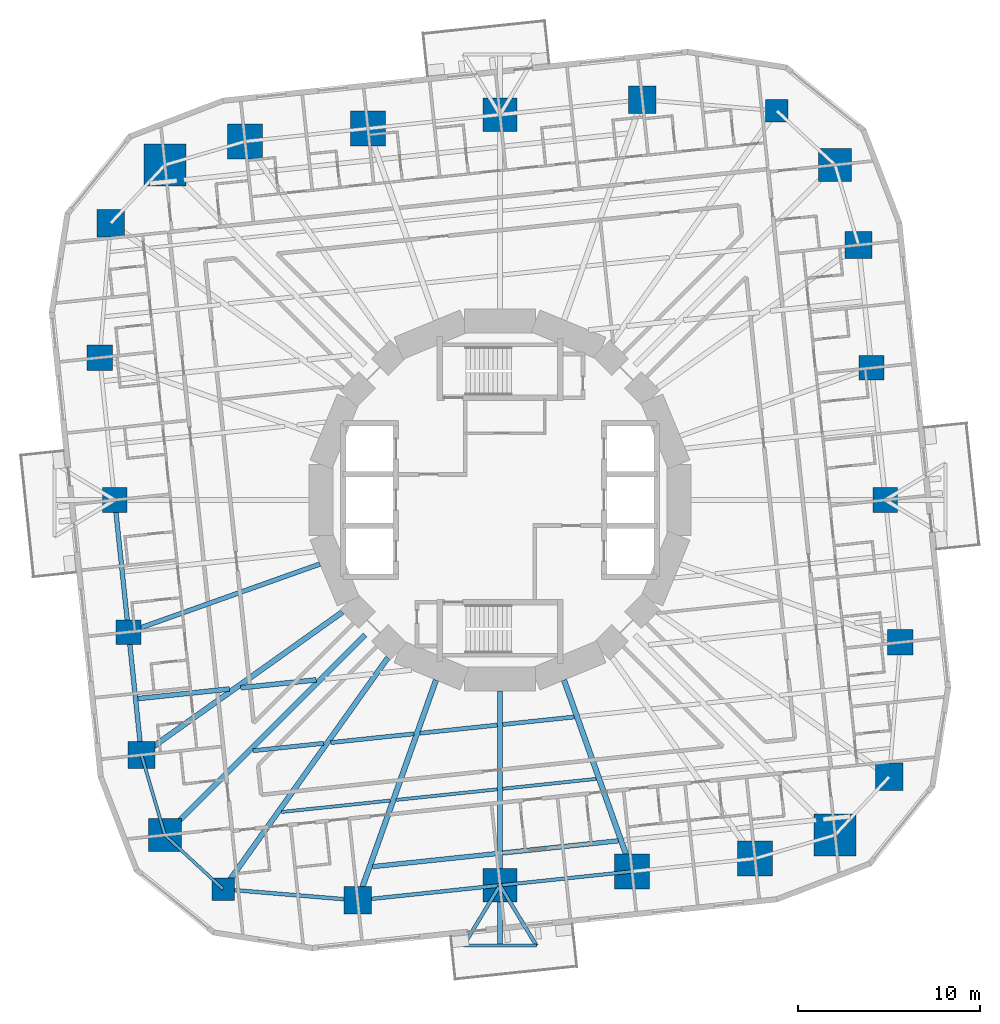
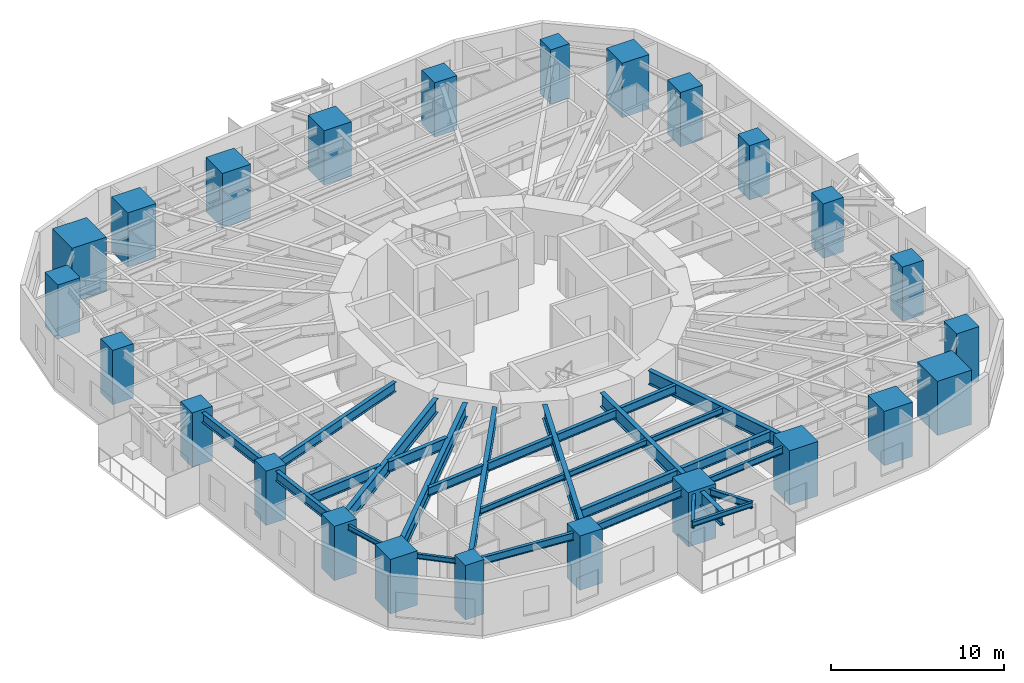
# One storey, part 1 of 15: 28 beams, 24 columns.
"""IFC4 building model written with IfcOpenShell, lengths in metres."""

from ifc_helpers import new_model, si_unit, direction, frame, origin, origin_2d, place, context, subcontext, project, spatial, rectangle, i_section, extrude, material, material_profile, profile_set, type_object, element, save


model = new_model("IFC4")

# Units and contexts
model_context = context("Model", 3, precision=1e-05, world=origin(), true_north=direction((0.0, 1.0)))
body_context = subcontext(model_context, "Body", "Model", "MODEL_VIEW")
ifc_project = project(units=[si_unit("LENGTHUNIT", "METRE"), si_unit("AREAUNIT", "SQUARE_METRE"), si_unit("VOLUMEUNIT", "CUBIC_METRE"), si_unit("PLANEANGLEUNIT", "RADIAN"), si_unit("MASSUNIT", "GRAM", prefix="KILO")], contexts=[model_context])

# Site, building, storey
site_placement = place(None, origin())
site = spatial("IfcSite", under=ifc_project, at=site_placement, CompositionType="ELEMENT")
building_placement = place(site_placement, origin())
building = spatial("IfcBuilding", under=site, at=building_placement, Name="Nakasero Lantern House", CompositionType="ELEMENT")
storey_placement = place(building_placement, frame((0.0, 0.0, 68.199951171875)))
storey = spatial("IfcBuildingStorey", under=building, at=storey_placement, Name="L16", CompositionType="ELEMENT", Elevation=68.199951171875)

# Columns
ifc_material_1 = material(Name="Concrete C50/60", Category="concrete")
ifc_material_profile_1 = material_profile(ifc_material_1, rectangle(XDim=1.800048828125, YDim=1.800048828125, at=origin_2d()), Name="RC 1800x1800")
ifc_profile_set_1 = profile_set([ifc_material_profile_1], Name="Concrete C50/60")
column_type_1 = type_object("IfcColumnType", Name="Mega column RC 1800x1800 C50/60", PredefinedType="COLUMN", material=ifc_profile_set_1)
for number, where, z_axis, x_axis, name in (
    (1, (18.359375, 18.359375, 0.0), (0.0, 0.0, 1.0), (1.0, 0.0, 0.0), "Column B2-C06 L16"),
    (2, (-18.359375, -18.359375, 0.0), (0.0, 0.0, 1.0), (1.0, 0.0, 0.0), "Column B2-C18 L16"),
):
    element("IfcColumn", number, at=place(storey_placement, frame(where, z_axis=z_axis, x_axis=x_axis)), inside=storey, type_object=column_type_1, Name=name, PredefinedType="COLUMN", context=body_context, shape_type="SweptSolid", body=[
        extrude(rectangle(XDim=1.800048828125, YDim=1.800048828125, at=origin_2d()), origin(), (0.0, 0.0, 1.0), 3.85009765625),
    ])
ifc_material_2 = material(Name="Concrete C50/60", Category="concrete")
ifc_material_profile_2 = material_profile(ifc_material_2, rectangle(XDim=2.300048828125, YDim=2.300048828125, at=origin_2d()), Name="RC 2300x2300")
ifc_profile_set_2 = profile_set([ifc_material_profile_2], Name="Concrete C50/60")
column_type_2 = type_object("IfcColumnType", Name="Mega column RC 2300x2300 C50/60", PredefinedType="COLUMN", material=ifc_profile_set_2)
for number, where, z_axis, x_axis, name in (
    (3, (-18.359375, 18.359375, 0.0), (0.0, 0.0, 1.0), (1.0, 0.0, 0.0), "Column B2-C12 L16"),
    (4, (18.359375, -18.359375, 0.0), (0.0, 0.0, 1.0), (1.0, 0.0, 0.0), "Column B2-C24 L16"),
):
    element("IfcColumn", number, at=place(storey_placement, frame(where, z_axis=z_axis, x_axis=x_axis)), inside=storey, type_object=column_type_2, Name=name, PredefinedType="COLUMN", context=body_context, shape_type="SweptSolid", body=[
        extrude(rectangle(XDim=2.300048828125, YDim=2.300048828125, at=origin_2d()), origin(), (0.0, 0.0, 1.0), 3.85009765625),
    ])
ifc_material_3 = material(Name="Concrete C50/60", Category="concrete")
ifc_material_profile_3 = material_profile(ifc_material_3, rectangle(XDim=1.25, YDim=1.25, at=origin_2d()), Name="RC 1250x1250")
ifc_profile_set_3 = profile_set([ifc_material_profile_3], Name="Concrete C50/60")
column_type_3 = type_object("IfcColumnType", Name="Ring column RC 1250x1250 C50/60", PredefinedType="COLUMN", material=ifc_profile_set_3)
for number, where, z_axis, x_axis, name in (
    (5, (15.16650390625, 21.327880859375, 0.0), (0.0, 0.0, 1.0), (1.0, 0.0, 0.0), "Column B2-C07 L16"),
    (6, (-15.16650390625, -21.327880859375, 0.0), (0.0, 0.0, 1.0), (1.0, 0.0, 0.0), "Column B2-C19 L16"),
):
    element("IfcColumn", number, at=place(storey_placement, frame(where, z_axis=z_axis, x_axis=x_axis)), inside=storey, type_object=column_type_3, Name=name, PredefinedType="COLUMN", context=body_context, shape_type="SweptSolid", body=[
        extrude(rectangle(XDim=1.25, YDim=1.25, at=origin_2d()), origin(), (0.0, 0.0, 1.0), 3.85009765625),
    ])
ifc_material_4 = material(Name="Concrete C50/60", Category="concrete")
ifc_material_profile_4 = material_profile(ifc_material_4, rectangle(XDim=1.35009765625, YDim=1.35009765625, at=origin_2d()), Name="RC 1350x1350")
ifc_profile_set_4 = profile_set([ifc_material_profile_4], Name="Concrete C50/60")
column_type_4 = type_object("IfcColumnType", Name="Ring column RC 1350x1350 C50/60", PredefinedType="COLUMN", material=ifc_profile_set_4)
for number, where, z_axis, x_axis, name in (
    (7, (21.11572265625, 0.0, 0.0), (0.0, 0.0, 1.0), (1.0, 0.0, 0.0), "Column B2-C03 L16"),
    (8, (20.35498046875, 7.2373046875, 0.0), (0.0, 0.0, 1.0), (1.0, 0.0, 0.0), "Column B2-C04 L16"),
    (9, (-21.11572265625, 0.0, 0.0), (0.0, 0.0, 1.0), (1.0, 0.0, 0.0), "Column B2-C15 L16"),
    (10, (-20.35498046875, -7.2373046875, 0.0), (0.0, 0.0, 1.0), (1.0, 0.0, 0.0), "Column B2-C16 L16"),
):
    element("IfcColumn", number, at=place(storey_placement, frame(where, z_axis=z_axis, x_axis=x_axis)), inside=storey, type_object=column_type_4, Name=name, PredefinedType="COLUMN", context=body_context, shape_type="SweptSolid", body=[
        extrude(rectangle(XDim=1.35009765625, YDim=1.35009765625, at=origin_2d()), origin(), (0.0, 0.0, 1.0), 3.85009765625),
    ])
ifc_material_5 = material(Name="Concrete C50/60", Category="concrete")
ifc_material_profile_5 = material_profile(ifc_material_5, rectangle(XDim=1.39990234375, YDim=1.39990234375, at=origin_2d()), Name="RC 1400x1400")
ifc_profile_set_5 = profile_set([ifc_material_profile_5], Name="Concrete C50/60")
column_type_5 = type_object("IfcColumnType", Name="Ring column RC 1400x1400 C50/60", PredefinedType="COLUMN", material=ifc_profile_set_5)
for number, where, z_axis, x_axis, name in (
    (11, (21.935302734375, -7.79931640625, 0.0), (0.0, 0.0, 1.0), (1.0, 0.0, 0.0), "Column B2-C02 L16"),
    (12, (-21.935302734375, 7.79931640625, 0.0), (0.0, 0.0, 1.0), (1.0, 0.0, 0.0), "Column B2-C14 L16"),
):
    element("IfcColumn", number, at=place(storey_placement, frame(where, z_axis=z_axis, x_axis=x_axis)), inside=storey, type_object=column_type_5, Name=name, PredefinedType="COLUMN", context=body_context, shape_type="SweptSolid", body=[
        extrude(rectangle(XDim=1.39990234375, YDim=1.39990234375, at=origin_2d()), origin(), (0.0, 0.0, 1.0), 3.85009765625),
    ])
ifc_material_6 = material(Name="Concrete C50/60", Category="concrete")
ifc_material_profile_6 = material_profile(ifc_material_6, rectangle(XDim=1.5, YDim=1.5, at=origin_2d()), Name="RC 1500x1500")
ifc_profile_set_6 = profile_set([ifc_material_profile_6], Name="Concrete C50/60")
column_type_6 = type_object("IfcColumnType", Name="Ring column RC 1500x1500 C50/60", PredefinedType="COLUMN", material=ifc_profile_set_6)
for number, where, z_axis, x_axis, name in (
    (13, (21.327880859375, -15.16650390625, 0.0), (0.0, 0.0, 1.0), (1.0, 0.0, 0.0), "Column B2-C01 L16"),
    (14, (19.647216796875, 13.971435546875, 0.0), (0.0, 0.0, 1.0), (1.0, 0.0, 0.0), "Column B2-C05 L16"),
    (15, (7.79931640625, 21.935302734375, 0.0), (0.0, 0.0, 1.0), (1.0, 0.0, 0.0), "Column B2-C08 L16"),
    (16, (-21.327880859375, 15.16650390625, 0.0), (0.0, 0.0, 1.0), (1.0, 0.0, 0.0), "Column B2-C13 L16"),
    (17, (-19.647216796875, -13.971435546875, 0.0), (0.0, 0.0, 1.0), (1.0, 0.0, 0.0), "Column B2-C17 L16"),
    (18, (-7.79931640625, -21.935302734375, 0.0), (0.0, 0.0, 1.0), (1.0, 0.0, 0.0), "Column B2-C20 L16"),
):
    element("IfcColumn", number, at=place(storey_placement, frame(where, z_axis=z_axis, x_axis=x_axis)), inside=storey, type_object=column_type_6, Name=name, PredefinedType="COLUMN", context=body_context, shape_type="SweptSolid", body=[
        extrude(rectangle(XDim=1.5, YDim=1.5, at=origin_2d()), origin(), (0.0, 0.0, 1.0), 3.85009765625),
    ])
ifc_material_7 = material(Name="Concrete C50/60", Category="concrete")
ifc_material_profile_7 = material_profile(ifc_material_7, rectangle(XDim=1.85009765625, YDim=1.85009765625, at=origin_2d()), Name="RC 1850x1850")
ifc_profile_set_7 = profile_set([ifc_material_profile_7], Name="Concrete C50/60")
column_type_7 = type_object("IfcColumnType", Name="Ring column RC 1850x1850 C50/60", PredefinedType="COLUMN", material=ifc_profile_set_7)
for number, where, z_axis, x_axis, name in (
    (19, (0.0, 21.11572265625, 0.0), (0.0, 0.0, 1.0), (1.0, 0.0, 0.0), "Column B2-C09 L16"),
    (20, (0.0, -21.11572265625, 0.0), (0.0, 0.0, 1.0), (1.0, 0.0, 0.0), "Column B2-C21 L16"),
):
    element("IfcColumn", number, at=place(storey_placement, frame(where, z_axis=z_axis, x_axis=x_axis)), inside=storey, type_object=column_type_7, Name=name, PredefinedType="COLUMN", context=body_context, shape_type="SweptSolid", body=[
        extrude(rectangle(XDim=1.85009765625, YDim=1.85009765625, at=origin_2d()), origin(), (0.0, 0.0, 1.0), 3.85009765625),
    ])
ifc_material_8 = material(Name="Concrete C50/60", Category="concrete")
ifc_material_profile_8 = material_profile(ifc_material_8, rectangle(XDim=1.89990234375, YDim=1.89990234375, at=origin_2d()), Name="RC 1900x1900")
ifc_profile_set_8 = profile_set([ifc_material_profile_8], Name="Concrete C50/60")
column_type_8 = type_object("IfcColumnType", Name="Ring column RC 1900x1900 C50/60", PredefinedType="COLUMN", material=ifc_profile_set_8)
for number, where, z_axis, x_axis, name in (
    (21, (-7.2373046875, 20.35498046875, 0.0), (0.0, 0.0, 1.0), (1.0, 0.0, 0.0), "Column B2-C10 L16"),
    (22, (-13.971435546875, 19.647216796875, 0.0), (0.0, 0.0, 1.0), (1.0, 0.0, 0.0), "Column B2-C11 L16"),
    (23, (7.2373046875, -20.35498046875, 0.0), (0.0, 0.0, 1.0), (1.0, 0.0, 0.0), "Column B2-C22 L16"),
    (24, (13.971435546875, -19.647216796875, 0.0), (0.0, 0.0, 1.0), (1.0, 0.0, 0.0), "Column B2-C23 L16"),
):
    element("IfcColumn", number, at=place(storey_placement, frame(where, z_axis=z_axis, x_axis=x_axis)), inside=storey, type_object=column_type_8, Name=name, PredefinedType="COLUMN", context=body_context, shape_type="SweptSolid", body=[
        extrude(rectangle(XDim=1.89990234375, YDim=1.89990234375, at=origin_2d()), origin(), (0.0, 0.0, 1.0), 3.85009765625),
    ])

# Beams
ifc_material_9 = material(Name="Steel S355", Category="steel")
ifc_material_profile_9 = material_profile(ifc_material_9, i_section(OverallWidth=0.199462890625, OverallDepth=0.491943359375, WebThickness=0.01806640625, FlangeThickness=0.031982421875, FilletRadius=0.01025390625, at=origin_2d()), Name="UB 457x191x161")
ifc_profile_set_9 = profile_set([ifc_material_profile_9], Name="Steel S355")
beam_type_1 = type_object("IfcBeamType", Name="Balcony splay beam UB 457x191x161", PredefinedType="BEAM", material=ifc_profile_set_9)
for number, where, z_axis, x_axis, name in (
    (25, (0.0, -21.11572265625, 3.404052734375), (0.518296107317, -0.855201230787, 0.0), (0.855201230787, 0.518296107317, 0.0), "Balcony splay beam L17 B2-C21A"),
    (26, (0.0, -21.11572265625, 3.404052734375), (-0.518296107317, -0.855201230787, 0.0), (0.855201230787, -0.518296107317, 0.0), "Balcony splay beam L17 B2-C21B"),
):
    element("IfcBeam", number, at=place(storey_placement, frame(where, z_axis=z_axis, x_axis=x_axis)), inside=storey, type_object=beam_type_1, Name=name, PredefinedType="BEAM", context=body_context, shape_type="SweptSolid", body=[
        extrude(i_section(OverallWidth=0.199462890625, OverallDepth=0.491943359375, WebThickness=0.01806640625, FlangeThickness=0.031982421875, FilletRadius=0.01025390625, at=origin_2d()), origin(), (0.0, 0.0, 1.0), 3.85888671875),
    ])
ifc_material_10 = material(Name="Steel S355", Category="steel")
ifc_material_profile_10 = material_profile(ifc_material_10, i_section(OverallWidth=0.17138671875, OverallDepth=0.35498046875, WebThickness=0.00732421875, FlangeThickness=0.011474609375, FilletRadius=0.01025390625, at=origin_2d()), Name="UB 356x171x51")
ifc_profile_set_10 = profile_set([ifc_material_profile_10], Name="Steel S355")
beam_type_2 = type_object("IfcBeamType", Name="Balcony tie beam UB 356x171x51", PredefinedType="BEAM", material=ifc_profile_set_10)
beam_1_placement = place(storey_placement, frame((2.0, -24.415771484375, 3.47265625), z_axis=(-1.0, 0.0, 0.0), x_axis=(0.0, -1.0, 0.0)))
element("IfcBeam", 27, at=beam_1_placement, inside=storey, type_object=beam_type_2, Name="Balcony tie beam L17 B2-C21", PredefinedType="BEAM", context=body_context, shape_type="SweptSolid", body=[
    extrude(i_section(OverallWidth=0.17138671875, OverallDepth=0.35498046875, WebThickness=0.00732421875, FlangeThickness=0.011474609375, FilletRadius=0.01025390625, at=origin_2d()), origin(), (0.0, 0.0, 1.0), 4.0),
])
ifc_material_11 = material(Name="Steel S355", Category="steel")
ifc_material_profile_11 = material_profile(ifc_material_11, i_section(OverallWidth=0.177978515625, OverallDepth=0.406494140625, WebThickness=0.0078125, FlangeThickness=0.0126953125, FilletRadius=0.01025390625, at=origin_2d()), Name="UB 406x178x60")
ifc_profile_set_11 = profile_set([ifc_material_profile_11], Name="Steel S355")
beam_type_3 = type_object("IfcBeamType", Name="Infill beam UB 406x178x60", PredefinedType="JOIST", material=ifc_profile_set_11)
beam_2_placement = place(storey_placement, frame((-11.9775390625, -17.095703125, 3.44677734375), z_axis=(0.994521729164, 0.104530044579, 0.0), x_axis=(-0.104530044579, 0.994521729164, 0.0)))
element("IfcBeam", 28, at=beam_2_placement, inside=storey, type_object=beam_type_3, Name="Infill beam L17 03.1", PredefinedType="JOIST", context=body_context, shape_type="SweptSolid", body=[
    extrude(i_section(OverallWidth=0.177978515625, OverallDepth=0.406494140625, WebThickness=0.0078125, FlangeThickness=0.0126953125, FilletRadius=0.01025390625, at=origin_2d()), origin(), (0.0, 0.0, 1.0), 5.99560546875),
])
beam_3_placement = place(storey_placement, frame((-5.68408203125, -16.43408203125, 3.44677734375), z_axis=(0.994524188375, 0.104506644464, 0.0), x_axis=(-0.104506644464, 0.994524188375, 0.0)))
element("IfcBeam", 29, at=beam_3_placement, inside=storey, type_object=beam_type_3, Name="Infill beam L17 03.2", PredefinedType="JOIST", context=body_context, shape_type="SweptSolid", body=[
    extrude(i_section(OverallWidth=0.177978515625, OverallDepth=0.406494140625, WebThickness=0.0078125, FlangeThickness=0.0126953125, FilletRadius=0.01025390625, at=origin_2d()), origin(), (0.0, 0.0, 1.0), 5.564697265625),
])
beam_4_placement = place(storey_placement, frame((0.14990234375, -15.821044921875, 3.44677734375), z_axis=(0.994522574566, 0.104522000929, 0.0), x_axis=(-0.104522000929, 0.994522574566, 0.0)))
element("IfcBeam", 30, at=beam_4_placement, inside=storey, type_object=beam_type_3, Name="Infill beam L17 03.3", PredefinedType="JOIST", context=body_context, shape_type="SweptSolid", body=[
    extrude(i_section(OverallWidth=0.177978515625, OverallDepth=0.406494140625, WebThickness=0.0078125, FlangeThickness=0.0126953125, FilletRadius=0.01025390625, at=origin_2d()), origin(), (0.0, 0.0, 1.0), 5.15283203125),
])
ifc_material_12 = material(Name="Steel S355", Category="steel")
ifc_material_profile_12 = material_profile(ifc_material_12, i_section(OverallWidth=0.22900390625, OverallDepth=0.6123046875, WebThickness=0.011962890625, FlangeThickness=0.01953125, FilletRadius=0.0126953125, at=origin_2d()), Name="UB 610x229x125")
ifc_profile_set_12 = profile_set([ifc_material_profile_12], Name="Steel S355")
beam_type_4 = type_object("IfcBeamType", Name="Infill beam UB 610x229x125", PredefinedType="JOIST", material=ifc_profile_set_12)
beam_5_placement = place(storey_placement, frame((-13.527099609375, -13.7392578125, 3.343994140625), z_axis=(0.99451886442, 0.10455729679, 0.0), x_axis=(-0.10455729679, 0.99451886442, 0.0)))
element("IfcBeam", 31, at=beam_5_placement, inside=storey, type_object=beam_type_4, Name="Infill beam L17 04.1", PredefinedType="JOIST", context=body_context, shape_type="SweptSolid", body=[
    extrude(i_section(OverallWidth=0.22900390625, OverallDepth=0.6123046875, WebThickness=0.011962890625, FlangeThickness=0.01953125, FilletRadius=0.0126953125, at=origin_2d()), origin(), (0.0, 0.0, 1.0), 3.8876953125),
])
beam_6_placement = place(storey_placement, frame((-9.272705078125, -13.2919921875, 3.343994140625), z_axis=(0.994522952874, 0.104518401282, 0.0), x_axis=(-0.104518401282, 0.994522952874, 0.0)))
element("IfcBeam", 32, at=beam_6_placement, inside=storey, type_object=beam_type_4, Name="Infill beam L17 04.2", PredefinedType="JOIST", context=body_context, shape_type="SweptSolid", body=[
    extrude(i_section(OverallWidth=0.22900390625, OverallDepth=0.6123046875, WebThickness=0.011962890625, FlangeThickness=0.01953125, FilletRadius=0.0126953125, at=origin_2d()), origin(), (0.0, 0.0, 1.0), 4.5830078125),
])
beam_7_placement = place(storey_placement, frame((-4.38427734375, -12.7783203125, 3.343994140625), z_axis=(0.994521465317, 0.104532554847, 0.0), x_axis=(-0.104532554847, 0.994521465317, 0.0)))
element("IfcBeam", 33, at=beam_7_placement, inside=storey, type_object=beam_type_4, Name="Infill beam L17 04.3", PredefinedType="JOIST", context=body_context, shape_type="SweptSolid", body=[
    extrude(i_section(OverallWidth=0.22900390625, OverallDepth=0.6123046875, WebThickness=0.011962890625, FlangeThickness=0.01953125, FilletRadius=0.0126953125, at=origin_2d()), origin(), (0.0, 0.0, 1.0), 4.2578125),
])
beam_8_placement = place(storey_placement, frame((0.14990234375, -12.3017578125, 3.343994140625), z_axis=(0.994521399206, 0.104533183829, 0.0), x_axis=(-0.104533183829, 0.994521399206, 0.0)))
element("IfcBeam", 34, at=beam_8_placement, inside=storey, type_object=beam_type_4, Name="Infill beam L17 04.4", PredefinedType="JOIST", context=body_context, shape_type="SweptSolid", body=[
    extrude(i_section(OverallWidth=0.22900390625, OverallDepth=0.6123046875, WebThickness=0.011962890625, FlangeThickness=0.01953125, FilletRadius=0.0126953125, at=origin_2d()), origin(), (0.0, 0.0, 1.0), 3.93994140625),
])
ifc_material_13 = material(Name="Steel S355", Category="steel")
ifc_material_profile_13 = material_profile(ifc_material_13, i_section(OverallWidth=0.255859375, OverallDepth=0.69287109375, WebThickness=0.014404296875, FlangeThickness=0.023681640625, FilletRadius=0.01513671875, at=origin_2d()), Name="UB 686x254x170")
ifc_profile_set_13 = profile_set([ifc_material_profile_13], Name="Steel S355")
beam_type_5 = type_object("IfcBeamType", Name="Infill beam UB 686x254x170", PredefinedType="JOIST", material=ifc_profile_set_13)
beam_9_placement = place(storey_placement, frame((-6.98388671875, -20.090087890625, 3.3037109375), z_axis=(0.994522182542, 0.10452573096, 0.0), x_axis=(-0.10452573096, 0.994522182542, 0.0)))
element("IfcBeam", 35, at=beam_9_placement, inside=storey, type_object=beam_type_5, Name="Infill beam L17 02.1", PredefinedType="JOIST", context=body_context, shape_type="SweptSolid", body=[
    extrude(i_section(OverallWidth=0.255859375, OverallDepth=0.69287109375, WebThickness=0.014404296875, FlangeThickness=0.023681640625, FilletRadius=0.01513671875, at=origin_2d()), origin(), (0.0, 0.0, 1.0), 6.87158203125),
])
beam_10_placement = place(storey_placement, frame((0.14990234375, -19.34033203125, 3.3037109375), z_axis=(0.994519733917, 0.104549026056, 0.0), x_axis=(-0.104549026056, 0.994519733917, 0.0)))
element("IfcBeam", 36, at=beam_10_placement, inside=storey, type_object=beam_type_5, Name="Infill beam L17 02.2", PredefinedType="JOIST", context=body_context, shape_type="SweptSolid", body=[
    extrude(i_section(OverallWidth=0.255859375, OverallDepth=0.69287109375, WebThickness=0.014404296875, FlangeThickness=0.023681640625, FilletRadius=0.01513671875, at=origin_2d()), origin(), (0.0, 0.0, 1.0), 6.36572265625),
])
ifc_material_14 = material(Name="Steel S355", Category="steel")
ifc_material_profile_14 = material_profile(ifc_material_14, i_section(OverallWidth=0.2666015625, OverallDepth=0.76220703125, WebThickness=0.014404296875, FlangeThickness=0.021484375, FilletRadius=0.0166015625, at=origin_2d()), Name="UB 762x267x173")
ifc_profile_set_14 = profile_set([ifc_material_profile_14], Name="Steel S355")
beam_type_6 = type_object("IfcBeamType", Name="Infill beam UB 762x267x173", PredefinedType="JOIST", material=ifc_profile_set_14)
beam_11_placement = place(storey_placement, frame((-19.843017578125, -10.8837890625, 3.26904296875), z_axis=(0.994520551882, 0.104541244898, 0.0), x_axis=(-0.104541244898, 0.994520551882, 0.0)))
element("IfcBeam", 37, at=beam_11_placement, inside=storey, type_object=beam_type_6, Name="Infill beam L17 05.1", PredefinedType="JOIST", context=body_context, shape_type="SweptSolid", body=[
    extrude(i_section(OverallWidth=0.2666015625, OverallDepth=0.76220703125, WebThickness=0.014404296875, FlangeThickness=0.021484375, FilletRadius=0.0166015625, at=origin_2d()), origin(), (0.0, 0.0, 1.0), 5.046630859375),
])
beam_12_placement = place(storey_placement, frame((-14.212646484375, -10.2919921875, 3.26904296875), z_axis=(0.994522134672, 0.104526186418, 0.0), x_axis=(-0.104526186418, 0.994522134672, 0.0)))
element("IfcBeam", 38, at=beam_12_placement, inside=storey, type_object=beam_type_6, Name="Infill beam L17 05.2", PredefinedType="JOIST", context=body_context, shape_type="SweptSolid", body=[
    extrude(i_section(OverallWidth=0.2666015625, OverallDepth=0.76220703125, WebThickness=0.014404296875, FlangeThickness=0.021484375, FilletRadius=0.0166015625, at=origin_2d()), origin(), (0.0, 0.0, 1.0), 4.166748046875),
])
ifc_material_15 = material(Name="Steel S355", Category="steel")
ifc_material_profile_15 = material_profile(ifc_material_15, i_section(OverallWidth=0.300048828125, OverallDepth=0.97998046875, WebThickness=0.0166015625, FlangeThickness=0.02587890625, FilletRadius=0.030029296875, at=origin_2d()), Name="UB 1016x305x249")
ifc_profile_set_15 = profile_set([ifc_material_profile_15], Name="Steel S355")
beam_type_7 = type_object("IfcBeamType", Name="Primary beam UB 1016x305x249, span 12 to 15 m", PredefinedType="BEAM", material=ifc_profile_set_15)
beam_13_placement = place(storey_placement, frame((-7.79931640625, -21.935302734375, 3.159912109375), z_axis=(0.335017564047, 0.942211882636, 0.0), x_axis=(-0.942211882636, 0.335017564047, 0.0)))
element("IfcBeam", 39, at=beam_13_placement, inside=storey, type_object=beam_type_7, Name="Primary beam L17 B2-C20", PredefinedType="BEAM", context=body_context, shape_type="SweptSolid", body=[
    extrude(i_section(OverallWidth=0.300048828125, OverallDepth=0.97998046875, WebThickness=0.0166015625, FlangeThickness=0.02587890625, FilletRadius=0.030029296875, at=origin_2d()), origin(), (0.0, 0.0, 1.0), 12.80908203125),
])
ifc_material_16 = material(Name="Steel S355", Category="steel")
ifc_material_profile_16 = material_profile(ifc_material_16, i_section(OverallWidth=0.300048828125, OverallDepth=0.97998046875, WebThickness=0.0166015625, FlangeThickness=0.02587890625, FilletRadius=0.030029296875, at=origin_2d()), Name="UB 1016x305x249")
ifc_profile_set_16 = profile_set([ifc_material_profile_16], Name="Steel S355")
beam_type_8 = type_object("IfcBeamType", Name="Primary beam UB 1016x305x249, span 9 to 12 m", PredefinedType="BEAM", material=ifc_profile_set_16)
beam_14_placement = place(storey_placement, frame((7.2373046875, -20.35498046875, 3.159912109375), z_axis=(-0.335009234979, 0.942214844119, 0.0), x_axis=(-0.942214844119, -0.335009234979, 0.0)))
element("IfcBeam", 40, at=beam_14_placement, inside=storey, type_object=beam_type_8, Name="Primary beam L17 B2-C22", PredefinedType="BEAM", context=body_context, shape_type="SweptSolid", body=[
    extrude(i_section(OverallWidth=0.300048828125, OverallDepth=0.97998046875, WebThickness=0.0166015625, FlangeThickness=0.02587890625, FilletRadius=0.030029296875, at=origin_2d()), origin(), (0.0, 0.0, 1.0), 11.1318359375),
])
ifc_material_17 = material(Name="Steel S355", Category="steel")
ifc_material_profile_17 = material_profile(ifc_material_17, i_section(OverallWidth=0.300048828125, OverallDepth=0.989990234375, WebThickness=0.0166015625, FlangeThickness=0.031005859375, FilletRadius=0.030029296875, at=origin_2d()), Name="UB 1016x305x272")
ifc_profile_set_17 = profile_set([ifc_material_profile_17], Name="Steel S355")
beam_type_9 = type_object("IfcBeamType", Name="Primary beam UB 1016x305x272, span 9 to 12 m", PredefinedType="BEAM", material=ifc_profile_set_17)
beam_15_placement = place(storey_placement, frame((0.0, -24.415771484375, 3.155029296875), z_axis=(0.0, 1.0, 0.0), x_axis=(-1.0, 0.0, 0.0)))
element("IfcBeam", 41, at=beam_15_placement, inside=storey, type_object=beam_type_9, Name="Primary beam L17 B2-C21", PredefinedType="BEAM", context=body_context, shape_type="SweptSolid", body=[
    extrude(i_section(OverallWidth=0.300048828125, OverallDepth=0.989990234375, WebThickness=0.0166015625, FlangeThickness=0.031005859375, FilletRadius=0.030029296875, at=origin_2d()), origin(), (0.0, 0.0, 1.0), 13.9580078125),
])
ifc_material_18 = material(Name="Steel S355", Category="steel")
ifc_material_profile_18 = material_profile(ifc_material_18, i_section(OverallWidth=0.300048828125, OverallDepth=0.989990234375, WebThickness=0.0166015625, FlangeThickness=0.031005859375, FilletRadius=0.030029296875, at=origin_2d()), Name="UB 1016x305x272")
ifc_profile_set_18 = profile_set([ifc_material_profile_18], Name="Steel S355")
beam_type_10 = type_object("IfcBeamType", Name="Primary beam UB 1016x305x272, span over 15 m", PredefinedType="BEAM", material=ifc_profile_set_18)
beam_16_placement = place(storey_placement, frame((-18.359375, -18.359375, 3.155029296875), z_axis=(0.707106781187, 0.707106781187, 0.0), x_axis=(-0.707106781187, 0.707106781187, 0.0)))
element("IfcBeam", 42, at=beam_16_placement, inside=storey, type_object=beam_type_10, Name="Primary beam L17 B2-C18", PredefinedType="BEAM", context=body_context, shape_type="SweptSolid", body=[
    extrude(i_section(OverallWidth=0.300048828125, OverallDepth=0.989990234375, WebThickness=0.0166015625, FlangeThickness=0.031005859375, FilletRadius=0.030029296875, at=origin_2d()), origin(), (0.0, 0.0, 1.0), 15.50634765625),
])
ifc_material_19 = material(Name="Steel S355", Category="steel")
ifc_material_profile_19 = material_profile(ifc_material_19, i_section(OverallWidth=0.302001953125, OverallDepth=1.008056640625, WebThickness=0.02099609375, FlangeThickness=0.0400390625, FilletRadius=0.030029296875, at=origin_2d()), Name="UB 1016x305x349")
ifc_profile_set_19 = profile_set([ifc_material_profile_19], Name="Steel S355")
beam_type_11 = type_object("IfcBeamType", Name="Primary beam UB 1016x305x349, span 12 to 15 m", PredefinedType="BEAM", material=ifc_profile_set_19)
beam_17_placement = place(storey_placement, frame((-19.647216796875, -13.971435546875, 3.14599609375), z_axis=(0.814948492976, 0.579533393168, 0.0), x_axis=(-0.579533393168, 0.814948492976, 0.0)))
element("IfcBeam", 43, at=beam_17_placement, inside=storey, type_object=beam_type_11, Name="Primary beam L17 B2-C17", PredefinedType="BEAM", context=body_context, shape_type="SweptSolid", body=[
    extrude(i_section(OverallWidth=0.302001953125, OverallDepth=1.008056640625, WebThickness=0.02099609375, FlangeThickness=0.0400390625, FilletRadius=0.030029296875, at=origin_2d()), origin(), (0.0, 0.0, 1.0), 13.502685546875),
])
ifc_material_20 = material(Name="Steel S355", Category="steel")
ifc_material_profile_20 = material_profile(ifc_material_20, i_section(OverallWidth=0.253662109375, OverallDepth=0.68359375, WebThickness=0.012451171875, FlangeThickness=0.01904296875, FilletRadius=0.01513671875, at=origin_2d()), Name="UB 686x254x140")
ifc_profile_set_20 = profile_set([ifc_material_profile_20], Name="Steel S355")
beam_type_12 = type_object("IfcBeamType", Name="Primary beam UB 686x254x140, span 9 to 12 m", PredefinedType="BEAM", material=ifc_profile_set_20)
beam_18_placement = place(storey_placement, frame((-20.35498046875, -7.2373046875, 3.308349609375), z_axis=(0.942214844119, 0.335009234979, 0.0), x_axis=(-0.335009234979, 0.942214844119, 0.0)))
element("IfcBeam", 44, at=beam_18_placement, inside=storey, type_object=beam_type_12, Name="Primary beam L17 B2-C16", PredefinedType="BEAM", context=body_context, shape_type="SweptSolid", body=[
    extrude(i_section(OverallWidth=0.253662109375, OverallDepth=0.68359375, WebThickness=0.012451171875, FlangeThickness=0.01904296875, FilletRadius=0.01513671875, at=origin_2d()), origin(), (0.0, 0.0, 1.0), 11.1318359375),
])
ifc_material_21 = material(Name="Steel S355", Category="steel")
ifc_material_profile_21 = material_profile(ifc_material_21, i_section(OverallWidth=0.29248046875, OverallDepth=0.8408203125, WebThickness=0.0146484375, FlangeThickness=0.02685546875, FilletRadius=0.017822265625, at=origin_2d()), Name="UB 838x292x194")
ifc_profile_set_21 = profile_set([ifc_material_profile_21], Name="Steel S355")
beam_type_13 = type_object("IfcBeamType", Name="Primary beam UB 838x292x194, span over 15 m", PredefinedType="BEAM", material=ifc_profile_set_21)
beam_19_placement = place(storey_placement, frame((-15.16650390625, -21.327880859375, 3.229736328125), z_axis=(0.57952911085, 0.814951538239, 0.0), x_axis=(-0.814951538239, 0.57952911085, 0.0)))
element("IfcBeam", 45, at=beam_19_placement, inside=storey, type_object=beam_type_13, Name="Primary beam L17 B2-C19", PredefinedType="BEAM", context=body_context, shape_type="SweptSolid", body=[
    extrude(i_section(OverallWidth=0.29248046875, OverallDepth=0.8408203125, WebThickness=0.0146484375, FlangeThickness=0.02685546875, FilletRadius=0.017822265625, at=origin_2d()), origin(), (0.0, 0.0, 1.0), 15.564697265625),
])
ifc_material_22 = material(Name="Steel S355", Category="steel")
ifc_material_profile_22 = material_profile(ifc_material_22, i_section(OverallWidth=0.17138671875, OverallDepth=0.35498046875, WebThickness=0.00732421875, FlangeThickness=0.011474609375, FilletRadius=0.01025390625, at=origin_2d()), Name="UB 356x171x51")
ifc_profile_set_22 = profile_set([ifc_material_profile_22], Name="Steel S355")
beam_type_14 = type_object("IfcBeamType", Name="Ring beam UB 356x171x51", PredefinedType="BEAM", material=ifc_profile_set_22)
beam_20_placement = place(storey_placement, frame((-19.647216796875, -13.971435546875, 3.47265625), z_axis=(0.28161710443, -0.959526865957, 0.0), x_axis=(0.959526865957, 0.28161710443, 0.0)))
element("IfcBeam", 46, at=beam_20_placement, inside=storey, type_object=beam_type_14, Name="Ring beam L17 B2-C17", PredefinedType="BEAM", context=body_context, shape_type="SweptSolid", body=[
    extrude(i_section(OverallWidth=0.17138671875, OverallDepth=0.35498046875, WebThickness=0.00732421875, FlangeThickness=0.011474609375, FilletRadius=0.01025390625, at=origin_2d()), origin(), (0.0, 0.0, 1.0), 4.572998046875),
])
beam_21_placement = place(storey_placement, frame((-18.359375, -18.359375, 3.47265625), z_axis=(0.732370510336, -0.680906333933, 0.0), x_axis=(0.680906333933, 0.732370510336, 0.0)))
element("IfcBeam", 47, at=beam_21_placement, inside=storey, type_object=beam_type_14, Name="Ring beam L17 B2-C18", PredefinedType="BEAM", context=body_context, shape_type="SweptSolid", body=[
    extrude(i_section(OverallWidth=0.17138671875, OverallDepth=0.35498046875, WebThickness=0.00732421875, FlangeThickness=0.011474609375, FilletRadius=0.01025390625, at=origin_2d()), origin(), (0.0, 0.0, 1.0), 4.359619140625),
])
ifc_material_23 = material(Name="Steel S355", Category="steel")
ifc_material_profile_23 = material_profile(ifc_material_23, i_section(OverallWidth=0.19140625, OverallDepth=0.4599609375, WebThickness=0.010009765625, FlangeThickness=0.01611328125, FilletRadius=0.01025390625, at=origin_2d()), Name="UB 457x191x82")
ifc_profile_set_23 = profile_set([ifc_material_profile_23], Name="Steel S355")
beam_type_15 = type_object("IfcBeamType", Name="Ring beam UB 457x191x82", PredefinedType="BEAM", material=ifc_profile_set_23)
beam_22_placement = place(storey_placement, frame((0.0, -21.11572265625, 3.420166015625), z_axis=(0.994520883746, 0.104538087767, 0.0), x_axis=(-0.104538087767, 0.994520883746, 0.0)))
element("IfcBeam", 48, at=beam_22_placement, inside=storey, type_object=beam_type_15, Name="Ring beam L17 B2-C21", PredefinedType="BEAM", context=body_context, shape_type="SweptSolid", body=[
    extrude(i_section(OverallWidth=0.19140625, OverallDepth=0.4599609375, WebThickness=0.010009765625, FlangeThickness=0.01611328125, FilletRadius=0.01025390625, at=origin_2d()), origin(), (0.0, 0.0, 1.0), 7.277099609375),
])
ifc_material_24 = material(Name="Steel S355", Category="steel")
ifc_material_profile_24 = material_profile(ifc_material_24, i_section(OverallWidth=0.208740234375, OverallDepth=0.5283203125, WebThickness=0.009521484375, FlangeThickness=0.01318359375, FilletRadius=0.0126953125, at=origin_2d()), Name="UB 533x210x82")
ifc_profile_set_24 = profile_set([ifc_material_profile_24], Name="Steel S355")
beam_type_16 = type_object("IfcBeamType", Name="Ring beam UB 533x210x82", PredefinedType="BEAM", material=ifc_profile_set_24)
beam_23_placement = place(storey_placement, frame((-15.16650390625, -21.327880859375, 3.385986328125), z_axis=(0.996618261264, -0.08217080574, 0.0), x_axis=(0.08217080574, 0.996618261264, 0.0)))
element("IfcBeam", 49, at=beam_23_placement, inside=storey, type_object=beam_type_16, Name="Ring beam L17 B2-C19", PredefinedType="BEAM", context=body_context, shape_type="SweptSolid", body=[
    extrude(i_section(OverallWidth=0.208740234375, OverallDepth=0.5283203125, WebThickness=0.009521484375, FlangeThickness=0.01318359375, FilletRadius=0.0126953125, at=origin_2d()), origin(), (0.0, 0.0, 1.0), 7.39208984375),
])
beam_24_placement = place(storey_placement, frame((-7.79931640625, -21.935302734375, 3.385986328125), z_axis=(0.994524030789, 0.104508144098, 0.0), x_axis=(-0.104508144098, 0.994524030789, 0.0)))
element("IfcBeam", 50, at=beam_24_placement, inside=storey, type_object=beam_type_16, Name="Ring beam L17 B2-C20", PredefinedType="BEAM", context=body_context, shape_type="SweptSolid", body=[
    extrude(i_section(OverallWidth=0.208740234375, OverallDepth=0.5283203125, WebThickness=0.009521484375, FlangeThickness=0.01318359375, FilletRadius=0.0126953125, at=origin_2d()), origin(), (0.0, 0.0, 1.0), 7.84228515625),
])
ifc_material_25 = material(Name="Steel S355", Category="steel")
ifc_material_profile_25 = material_profile(ifc_material_25, i_section(OverallWidth=0.253662109375, OverallDepth=0.68359375, WebThickness=0.012451171875, FlangeThickness=0.01904296875, FilletRadius=0.01513671875, at=origin_2d()), Name="UB 686x254x140")
ifc_profile_set_25 = profile_set([ifc_material_profile_25], Name="Steel S355")
beam_type_17 = type_object("IfcBeamType", Name="Ring beam UB 686x254x140", PredefinedType="BEAM", material=ifc_profile_set_25)
beam_25_placement = place(storey_placement, frame((-21.11572265625, 0.0, 3.308349609375), z_axis=(0.104538087767, -0.994520883746, 0.0), x_axis=(0.994520883746, 0.104538087767, 0.0)))
element("IfcBeam", 51, at=beam_25_placement, inside=storey, type_object=beam_type_17, Name="Ring beam L17 B2-C15", PredefinedType="BEAM", context=body_context, shape_type="SweptSolid", body=[
    extrude(i_section(OverallWidth=0.253662109375, OverallDepth=0.68359375, WebThickness=0.012451171875, FlangeThickness=0.01904296875, FilletRadius=0.01513671875, at=origin_2d()), origin(), (0.0, 0.0, 1.0), 7.277099609375),
])
ifc_material_26 = material(Name="Steel S355", Category="steel")
ifc_material_profile_26 = material_profile(ifc_material_26, i_section(OverallWidth=0.255859375, OverallDepth=0.69287109375, WebThickness=0.014404296875, FlangeThickness=0.023681640625, FilletRadius=0.01513671875, at=origin_2d()), Name="UB 686x254x170")
ifc_profile_set_26 = profile_set([ifc_material_profile_26], Name="Steel S355")
beam_type_18 = type_object("IfcBeamType", Name="Ring beam UB 686x254x170", PredefinedType="BEAM", material=ifc_profile_set_26)
beam_26_placement = place(storey_placement, frame((-20.35498046875, -7.2373046875, 3.3037109375), z_axis=(0.10452524939, -0.994522233155, 0.0), x_axis=(0.994522233155, 0.10452524939, 0.0)))
element("IfcBeam", 52, at=beam_26_placement, inside=storey, type_object=beam_type_18, Name="Ring beam L17 B2-C16", PredefinedType="BEAM", context=body_context, shape_type="SweptSolid", body=[
    extrude(i_section(OverallWidth=0.255859375, OverallDepth=0.69287109375, WebThickness=0.014404296875, FlangeThickness=0.023681640625, FilletRadius=0.01513671875, at=origin_2d()), origin(), (0.0, 0.0, 1.0), 6.771240234375),
])

save(model, "model.ifc")
